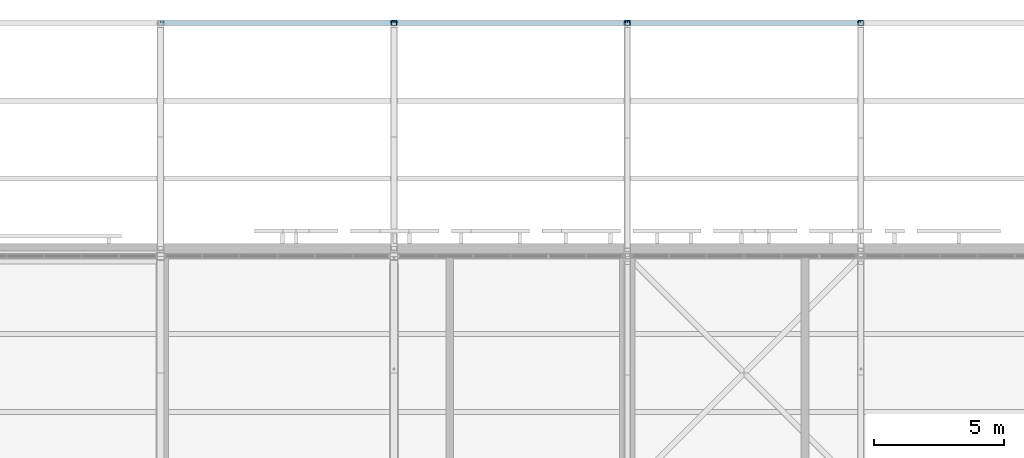
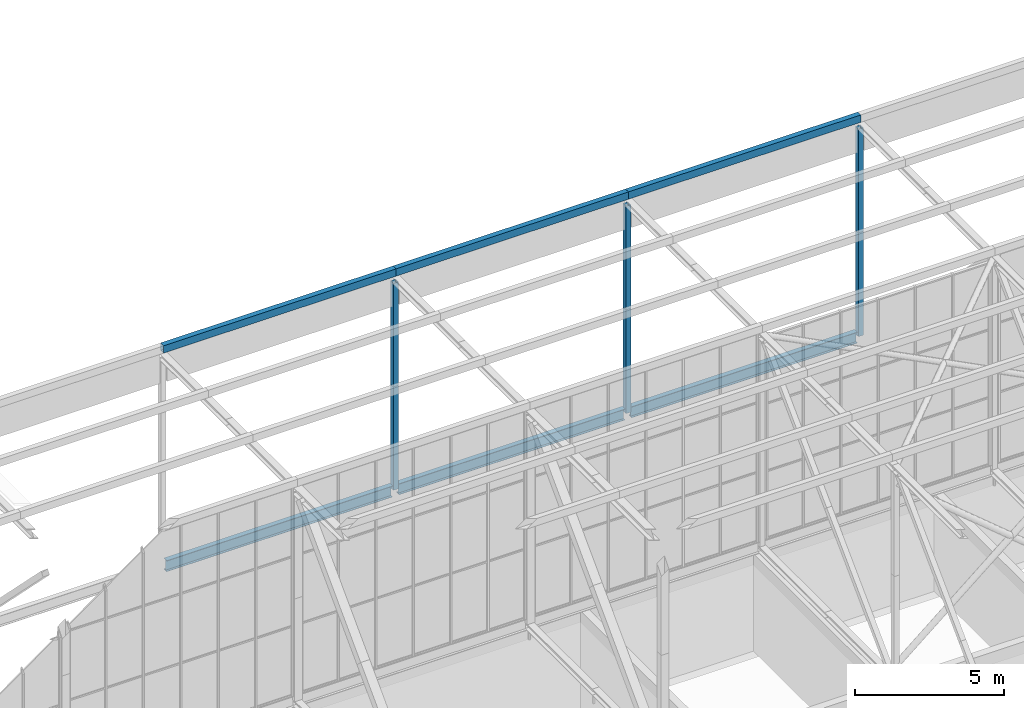
# One storey, part 130 of 646: 9 members, 3 beams.
"""IFC4 building model written with IfcOpenShell, lengths in metres."""

from ifc_helpers import new_model, si_unit, direction, frame, origin, origin_2d, place, context, subcontext, project, spatial, hollow_rectangle, i_section, extrude, material, material_profile, profile_set, type_object, element, save


model = new_model("IFC4")

# Units and contexts
model_context = context("Model", 3, precision=1e-05, world=origin(), true_north=direction((0.0, 1.0)))
body_context = subcontext(model_context, "Body", "Model", "MODEL_VIEW")
ifc_project = project(units=[si_unit("LENGTHUNIT", "METRE"), si_unit("AREAUNIT", "SQUARE_METRE"), si_unit("VOLUMEUNIT", "CUBIC_METRE"), si_unit("PLANEANGLEUNIT", "RADIAN"), si_unit("MASSUNIT", "GRAM", prefix="KILO")], contexts=[model_context])

# Site, building, storey
site_placement = place(None, origin())
site = spatial("IfcSite", under=ifc_project, at=site_placement, CompositionType="ELEMENT")
building_placement = place(site_placement, origin())
building = spatial("IfcBuilding", under=site, at=building_placement, Name="Silverbay Arena", CompositionType="ELEMENT")
storey_placement = place(building_placement, frame((0.0, 0.0, 33.5)))
storey = spatial("IfcBuildingStorey", under=building, at=storey_placement, Name="L05", CompositionType="ELEMENT", Elevation=33.5)

# Members
ifc_material_1 = material(Name="Steel S355", Category="steel")
ifc_material_profile_1 = material_profile(ifc_material_1, hollow_rectangle(XDim=0.199951171875, YDim=0.199951171875, WallThickness=0.008056640625, at=origin_2d()), Name="SHS 200x200x8")
ifc_profile_set_1 = profile_set([ifc_material_profile_1], Name="Steel S355")
member_type_1 = type_object("IfcMemberType", Name="Main-span truss vertical SHS 200x200x8", PredefinedType="STRUT", material=ifc_profile_set_1)
for number, where, z_axis, x_axis, name in (
    (1, (153.0, 153.0, 4.2666015625), (0.0, 0.0, 1.0), (1.0, 0.0, 0.0), "ROOF TRUSS 18 vertical 17a"),
    (2, (153.0, 153.0, 8.5), (0.0, 0.0, 1.0), (1.0, 0.0, 0.0), "ROOF TRUSS 18 vertical 17b"),
):
    element("IfcMember", number, at=place(storey_placement, frame(where, z_axis=z_axis, x_axis=x_axis)), inside=storey, type_object=member_type_1, Name=name, PredefinedType="STRUT", context=body_context, shape_type="SweptSolid", body=[
        extrude(hollow_rectangle(XDim=0.199951171875, YDim=0.199951171875, WallThickness=0.008056640625, at=origin_2d()), origin(), (0.0, 0.0, 1.0), 4.2333984375),
    ])
ifc_material_2 = material(Name="Steel S355", Category="steel")
ifc_material_profile_2 = material_profile(ifc_material_2, hollow_rectangle(XDim=0.199951171875, YDim=0.199951171875, WallThickness=0.008056640625, at=origin_2d()), Name="SHS 200x200x8")
ifc_profile_set_2 = profile_set([ifc_material_profile_2], Name="Steel S355")
member_type_2 = type_object("IfcMemberType", Name="Medium-span truss vertical SHS 200x200x8", PredefinedType="STRUT", material=ifc_profile_set_2)
for number, where, z_axis, x_axis, name in (
    (3, (162.0, 153.0, 4.254150390625), (0.0, 0.0, 1.0), (1.0, 0.0, 0.0), "ROOF TRUSS 19 vertical 17a"),
    (4, (162.0, 153.0, 8.5), (0.0, 0.0, 1.0), (1.0, 0.0, 0.0), "ROOF TRUSS 19 vertical 17b"),
    (5, (171.0, 153.0, 4.254150390625), (0.0, 0.0, 1.0), (1.0, 0.0, 0.0), "ROOF TRUSS 20 vertical 17a"),
    (6, (171.0, 153.0, 8.5), (0.0, 0.0, 1.0), (1.0, 0.0, 0.0), "ROOF TRUSS 20 vertical 17b"),
):
    element("IfcMember", number, at=place(storey_placement, frame(where, z_axis=z_axis, x_axis=x_axis)), inside=storey, type_object=member_type_2, Name=name, PredefinedType="STRUT", context=body_context, shape_type="SweptSolid", body=[
        extrude(hollow_rectangle(XDim=0.199951171875, YDim=0.199951171875, WallThickness=0.008056640625, at=origin_2d()), origin(), (0.0, 0.0, 1.0), 4.245849609375),
    ])
ifc_material_3 = material(Name="Steel S355", Category="steel")
ifc_material_profile_3 = material_profile(ifc_material_3, hollow_rectangle(XDim=0.199951171875, YDim=0.300048828125, WallThickness=0.008056640625, at=origin_2d()), Name="RHS 300x200x8")
ifc_profile_set_3 = profile_set([ifc_material_profile_3], Name="Steel S355")
member_type_3 = type_object("IfcMemberType", Name="Purlin RHS 300x200x8", PredefinedType="PURLIN", material=ifc_profile_set_3)
for number, where, z_axis, x_axis, name in (
    (7, (144.0, 153.0, 13.14990234375), (1.0, 0.0, 0.0), (0.0, 1.0, 0.0), "ROOF PURLIN 17-18 line 49"),
    (8, (153.0, 153.0, 13.14990234375), (1.0, 0.0, 0.0), (0.0, 1.0, 0.0), "ROOF PURLIN 18-19 line 49"),
    (9, (162.0, 153.0, 13.14990234375), (1.0, 0.0, 0.0), (0.0, 1.0, 0.0), "ROOF PURLIN 19-20 line 49"),
):
    element("IfcMember", number, at=place(storey_placement, frame(where, z_axis=z_axis, x_axis=x_axis)), inside=storey, type_object=member_type_3, Name=name, PredefinedType="PURLIN", context=body_context, shape_type="SweptSolid", body=[
        extrude(hollow_rectangle(XDim=0.199951171875, YDim=0.300048828125, WallThickness=0.008056640625, at=origin_2d()), origin(), (0.0, 0.0, 1.0), 9.0),
    ])

# Beams
ifc_material_4 = material(Name="Steel S355", Category="steel")
ifc_material_profile_4 = material_profile(ifc_material_4, i_section(OverallWidth=0.18994140625, OverallDepth=0.453369140625, WebThickness=0.008544921875, FlangeThickness=0.0126953125, at=origin_2d()), Name="UB 457x191x67")
ifc_profile_set_4 = profile_set([ifc_material_profile_4], Name="Steel S355")
beam_type = type_object("IfcBeamType", Name="Ring beam UB 457x191x67", PredefinedType="BEAM", material=ifc_profile_set_4)
beam_1_placement = place(storey_placement, frame((144.12939453125, 153.0, 4.226806640625), z_axis=(1.0, 0.0, 0.0), x_axis=(0.0, 1.0, 0.0)))
element("IfcBeam", 10, at=beam_1_placement, inside=storey, type_object=beam_type, Name="RING BEAM north edge 17-18", PredefinedType="BEAM", context=body_context, shape_type="SweptSolid", body=[
    extrude(i_section(OverallWidth=0.18994140625, OverallDepth=0.453369140625, WebThickness=0.008544921875, FlangeThickness=0.0126953125, at=origin_2d()), origin(), (0.0, 0.0, 1.0), 8.7412109375),
])
beam_2_placement = place(storey_placement, frame((153.12939453125, 153.0, 4.226806640625), z_axis=(1.0, 0.0, 0.0), x_axis=(0.0, 1.0, 0.0)))
element("IfcBeam", 11, at=beam_2_placement, inside=storey, type_object=beam_type, Name="RING BEAM north edge 18-19", PredefinedType="BEAM", context=body_context, shape_type="SweptSolid", body=[
    extrude(i_section(OverallWidth=0.18994140625, OverallDepth=0.453369140625, WebThickness=0.008544921875, FlangeThickness=0.0126953125, at=origin_2d()), origin(), (0.0, 0.0, 1.0), 8.743408203125),
])
beam_3_placement = place(storey_placement, frame((162.127197265625, 153.0, 4.226806640625), z_axis=(1.0, 0.0, 0.0), x_axis=(0.0, 1.0, 0.0)))
element("IfcBeam", 12, at=beam_3_placement, inside=storey, type_object=beam_type, Name="RING BEAM north edge 19-20", PredefinedType="BEAM", context=body_context, shape_type="SweptSolid", body=[
    extrude(i_section(OverallWidth=0.18994140625, OverallDepth=0.453369140625, WebThickness=0.008544921875, FlangeThickness=0.0126953125, at=origin_2d()), origin(), (0.0, 0.0, 1.0), 8.74560546875),
])

save(model, "model.ifc")
